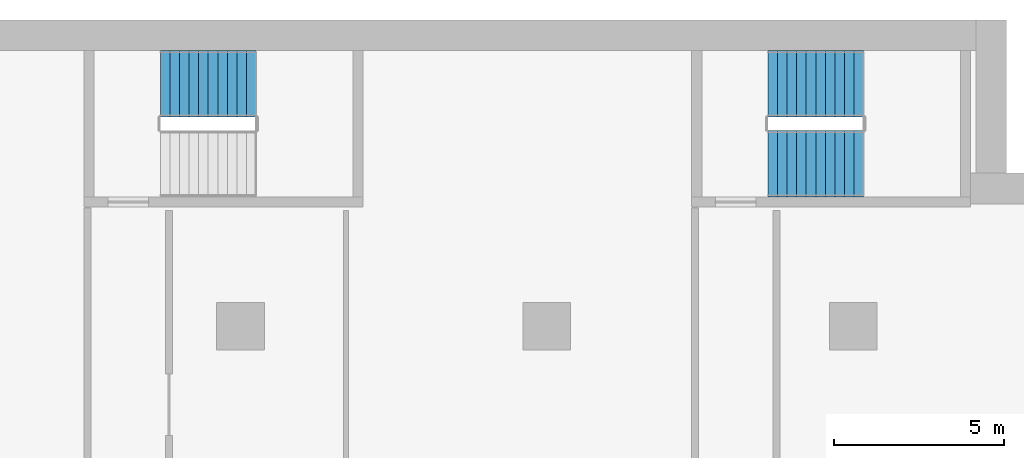
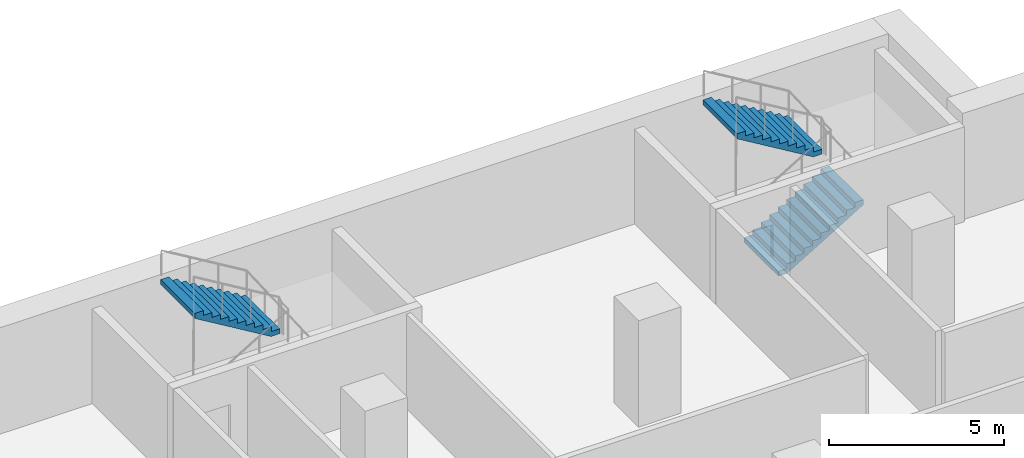
# One storey, part 22 of 28: 3 stair flights, 2 elements without a shape of their own.
"""IFC4 building model written with IfcOpenShell, lengths in metres."""

from ifc_helpers import new_model, si_unit, direction, frame, origin, place, context, subcontext, project, spatial, polyline, outline, extrude, material, type_object, element, aggregate, save


model = new_model("IFC4")

# Units and contexts
model_context = context("Model", 3, precision=1e-05, world=origin(), true_north=direction((0.0, 1.0)))
body_context = subcontext(model_context, "Body", "Model", "MODEL_VIEW")
ifc_project = project(units=[si_unit("LENGTHUNIT", "METRE"), si_unit("AREAUNIT", "SQUARE_METRE"), si_unit("VOLUMEUNIT", "CUBIC_METRE"), si_unit("PLANEANGLEUNIT", "RADIAN"), si_unit("MASSUNIT", "GRAM", prefix="KILO")], contexts=[model_context])

# Site, building, storey
site_placement = place(None, origin())
site = spatial("IfcSite", under=ifc_project, at=site_placement, CompositionType="ELEMENT")
building_placement = place(site_placement, origin())
building = spatial("IfcBuilding", under=site, at=building_placement, Name="Hunhe Ridgeline Campus", CompositionType="ELEMENT")
storey_placement = place(building_placement, frame((0.0, 0.0, 61.699951171875)))
storey = spatial("IfcBuildingStorey", under=building, at=storey_placement, Name="L14", CompositionType="ELEMENT", Elevation=61.699951171875)

# Stair, stair flight
ifc_material = material(Name="Concrete C40", Category="concrete")
stair_type = type_object("IfcStairType", Name="Reinforced concrete dog-leg stair 1950 Concrete C40", PredefinedType="HALF_TURN_STAIR", material=ifc_material)
stair_1_placement = place(storey_placement, origin())
stair_1 = element("IfcStair", 1, at=stair_1_placement, inside=storey, type_object=stair_type, Name="L14 E3", PredefinedType="HALF_TURN_STAIR")
stair_flight_type = type_object("IfcStairFlightType", Name="Reinforced concrete stair flight 1950 Concrete C40", PredefinedType="STRAIGHT", material=ifc_material)
stair_flight_1_placement = place(storey_placement, frame((72.449951171875, 97.125, 1.85009765625), z_axis=(0.0, 0.0, 1.0), x_axis=(-1.0, 0.0, 0.0)))
stair_flight_1 = element("IfcStairFlight", 2, at=stair_flight_1_placement, type_object=stair_flight_type, Name="ST7 flight 2", NumberOfRisers=11, NumberOfTreads=10, PredefinedType="STRAIGHT", RiserHeight=0.168181818, TreadLength=0.28, context=body_context, shape_type="SweptSolid", body=[
    extrude(outline(polyline([(0.0, 0.0), (0.0, 0.168212890625), (0.280029296875, 0.168212890625), (0.280029296875, 0.33642578125), (0.56005859375, 0.33642578125), (0.56005859375, 0.504638671875), (0.840087890625, 0.504638671875), (0.840087890625, 0.672607421875), (1.1201171875, 0.672607421875), (1.1201171875, 0.8408203125), (1.39990234375, 0.8408203125), (1.39990234375, 1.009033203125), (1.679931640625, 1.009033203125), (1.679931640625, 1.17724609375), (1.9599609375, 1.17724609375), (1.9599609375, 1.345458984375), (2.239990234375, 1.345458984375), (2.239990234375, 1.513671875), (2.52001953125, 1.513671875), (2.52001953125, 1.681884765625), (2.800048828125, 1.681884765625), (2.800048828125, 1.85009765625), (2.800048828125, 1.5068359375), (0.291015625, 0.0), (0.0, 0.0)])), frame((0.0, 0.97509765625, 0.0), z_axis=(0.0, -1.0, 0.0), x_axis=(1.0, 0.0, 0.0)), (0.0, 0.0, 1.0), 1.949951171875),
    extrude(outline(polyline([(0.030029296875, 0.030029296875), (0.030029296875, 0.13818359375), (0.31005859375, 0.13818359375), (0.31005859375, 0.306396484375), (0.590087890625, 0.306396484375), (0.590087890625, 0.474609375), (0.8701171875, 0.474609375), (0.8701171875, 0.642578125), (1.14990234375, 0.642578125), (1.14990234375, 0.810791015625), (1.429931640625, 0.810791015625), (1.429931640625, 0.97900390625), (1.7099609375, 0.97900390625), (1.7099609375, 1.147216796875), (1.989990234375, 1.147216796875), (1.989990234375, 1.3154296875), (2.27001953125, 1.3154296875), (2.27001953125, 1.483642578125), (2.550048828125, 1.483642578125), (2.550048828125, 1.65185546875), (2.77001953125, 1.65185546875), (2.77001953125, 1.52392578125), (0.28271484375, 0.030029296875), (0.030029296875, 0.030029296875)])), frame((0.0, -0.070068359375, 0.0), z_axis=(0.0, -1.0, 0.0), x_axis=(1.0, 0.0, 0.0)), (0.0, 0.0, 1.0), 0.019775390625),
    extrude(outline(polyline([(0.030029296875, 0.030029296875), (0.030029296875, 0.13818359375), (0.31005859375, 0.13818359375), (0.31005859375, 0.306396484375), (0.590087890625, 0.306396484375), (0.590087890625, 0.474609375), (0.8701171875, 0.474609375), (0.8701171875, 0.642578125), (1.14990234375, 0.642578125), (1.14990234375, 0.810791015625), (1.429931640625, 0.810791015625), (1.429931640625, 0.97900390625), (1.7099609375, 0.97900390625), (1.7099609375, 1.147216796875), (1.989990234375, 1.147216796875), (1.989990234375, 1.3154296875), (2.27001953125, 1.3154296875), (2.27001953125, 1.483642578125), (2.550048828125, 1.483642578125), (2.550048828125, 1.65185546875), (2.77001953125, 1.65185546875), (2.77001953125, 1.52392578125), (0.28271484375, 0.030029296875), (0.030029296875, 0.030029296875)])), frame((0.0, 0.010009765625, 0.0), z_axis=(0.0, -1.0, 0.0), x_axis=(1.0, 0.0, 0.0)), (0.0, 0.0, 1.0), 0.019775390625),
    extrude(outline(polyline([(0.030029296875, 0.030029296875), (0.030029296875, 0.13818359375), (0.31005859375, 0.13818359375), (0.31005859375, 0.306396484375), (0.590087890625, 0.306396484375), (0.590087890625, 0.474609375), (0.8701171875, 0.474609375), (0.8701171875, 0.642578125), (1.14990234375, 0.642578125), (1.14990234375, 0.810791015625), (1.429931640625, 0.810791015625), (1.429931640625, 0.97900390625), (1.7099609375, 0.97900390625), (1.7099609375, 1.147216796875), (1.989990234375, 1.147216796875), (1.989990234375, 1.3154296875), (2.27001953125, 1.3154296875), (2.27001953125, 1.483642578125), (2.550048828125, 1.483642578125), (2.550048828125, 1.65185546875), (2.77001953125, 1.65185546875), (2.77001953125, 1.52392578125), (0.28271484375, 0.030029296875), (0.030029296875, 0.030029296875)])), frame((0.0, 0.090087890625, 0.0), z_axis=(0.0, -1.0, 0.0), x_axis=(1.0, 0.0, 0.0)), (0.0, 0.0, 1.0), 0.019775390625),
])
aggregate(stair_1, [stair_flight_1])

# Stair, stair flights
stair_2_placement = place(storey_placement, origin())
stair_2 = element("IfcStair", 3, at=stair_2_placement, inside=storey, type_object=stair_type, Name="L14 E4", PredefinedType="HALF_TURN_STAIR")
stair_flight_2_placement = place(storey_placement, frame((87.5, 94.77490234375, 0.0), z_axis=(0.0, 0.0, 1.0), x_axis=(1.0, 0.0, 0.0)))
stair_flight_2 = element("IfcStairFlight", 4, at=stair_flight_2_placement, type_object=stair_flight_type, Name="ST8 flight 1", NumberOfRisers=11, NumberOfTreads=10, PredefinedType="STRAIGHT", RiserHeight=0.168181818, TreadLength=0.28, context=body_context, shape_type="SweptSolid", body=[
    extrude(outline(polyline([(0.0, 0.0), (0.0, 0.168212890625), (0.280029296875, 0.168212890625), (0.280029296875, 0.33642578125), (0.56005859375, 0.33642578125), (0.56005859375, 0.504638671875), (0.840087890625, 0.504638671875), (0.840087890625, 0.672607421875), (1.1201171875, 0.672607421875), (1.1201171875, 0.8408203125), (1.39990234375, 0.8408203125), (1.39990234375, 1.009033203125), (1.679931640625, 1.009033203125), (1.679931640625, 1.17724609375), (1.9599609375, 1.17724609375), (1.9599609375, 1.345458984375), (2.239990234375, 1.345458984375), (2.239990234375, 1.513671875), (2.52001953125, 1.513671875), (2.52001953125, 1.681884765625), (2.800048828125, 1.681884765625), (2.800048828125, 1.85009765625), (2.800048828125, 1.5068359375), (0.291015625, 0.0), (0.0, 0.0)])), frame((0.0, 0.97509765625, 0.0), z_axis=(0.0, -1.0, 0.0), x_axis=(1.0, 0.0, 0.0)), (0.0, 0.0, 1.0), 1.949951171875),
    extrude(outline(polyline([(0.030029296875, 0.030029296875), (0.030029296875, 0.13818359375), (0.31005859375, 0.13818359375), (0.31005859375, 0.306396484375), (0.590087890625, 0.306396484375), (0.590087890625, 0.474609375), (0.8701171875, 0.474609375), (0.8701171875, 0.642578125), (1.14990234375, 0.642578125), (1.14990234375, 0.810791015625), (1.429931640625, 0.810791015625), (1.429931640625, 0.97900390625), (1.7099609375, 0.97900390625), (1.7099609375, 1.147216796875), (1.989990234375, 1.147216796875), (1.989990234375, 1.3154296875), (2.27001953125, 1.3154296875), (2.27001953125, 1.483642578125), (2.550048828125, 1.483642578125), (2.550048828125, 1.65185546875), (2.77001953125, 1.65185546875), (2.77001953125, 1.52392578125), (0.28271484375, 0.030029296875), (0.030029296875, 0.030029296875)])), frame((0.0, -0.070068359375, 0.0), z_axis=(0.0, -1.0, 0.0), x_axis=(1.0, 0.0, 0.0)), (0.0, 0.0, 1.0), 0.019775390625),
    extrude(outline(polyline([(0.030029296875, 0.030029296875), (0.030029296875, 0.13818359375), (0.31005859375, 0.13818359375), (0.31005859375, 0.306396484375), (0.590087890625, 0.306396484375), (0.590087890625, 0.474609375), (0.8701171875, 0.474609375), (0.8701171875, 0.642578125), (1.14990234375, 0.642578125), (1.14990234375, 0.810791015625), (1.429931640625, 0.810791015625), (1.429931640625, 0.97900390625), (1.7099609375, 0.97900390625), (1.7099609375, 1.147216796875), (1.989990234375, 1.147216796875), (1.989990234375, 1.3154296875), (2.27001953125, 1.3154296875), (2.27001953125, 1.483642578125), (2.550048828125, 1.483642578125), (2.550048828125, 1.65185546875), (2.77001953125, 1.65185546875), (2.77001953125, 1.52392578125), (0.28271484375, 0.030029296875), (0.030029296875, 0.030029296875)])), frame((0.0, 0.010009765625, 0.0), z_axis=(0.0, -1.0, 0.0), x_axis=(1.0, 0.0, 0.0)), (0.0, 0.0, 1.0), 0.019775390625),
    extrude(outline(polyline([(0.030029296875, 0.030029296875), (0.030029296875, 0.13818359375), (0.31005859375, 0.13818359375), (0.31005859375, 0.306396484375), (0.590087890625, 0.306396484375), (0.590087890625, 0.474609375), (0.8701171875, 0.474609375), (0.8701171875, 0.642578125), (1.14990234375, 0.642578125), (1.14990234375, 0.810791015625), (1.429931640625, 0.810791015625), (1.429931640625, 0.97900390625), (1.7099609375, 0.97900390625), (1.7099609375, 1.147216796875), (1.989990234375, 1.147216796875), (1.989990234375, 1.3154296875), (2.27001953125, 1.3154296875), (2.27001953125, 1.483642578125), (2.550048828125, 1.483642578125), (2.550048828125, 1.65185546875), (2.77001953125, 1.65185546875), (2.77001953125, 1.52392578125), (0.28271484375, 0.030029296875), (0.030029296875, 0.030029296875)])), frame((0.0, 0.090087890625, 0.0), z_axis=(0.0, -1.0, 0.0), x_axis=(1.0, 0.0, 0.0)), (0.0, 0.0, 1.0), 0.019775390625),
])
stair_flight_3_placement = place(storey_placement, frame((90.300048828125, 97.125, 1.85009765625), z_axis=(0.0, 0.0, 1.0), x_axis=(-1.0, 0.0, 0.0)))
stair_flight_3 = element("IfcStairFlight", 5, at=stair_flight_3_placement, type_object=stair_flight_type, Name="ST8 flight 2", NumberOfRisers=11, NumberOfTreads=10, PredefinedType="STRAIGHT", RiserHeight=0.168181818, TreadLength=0.28, context=body_context, shape_type="SweptSolid", body=[
    extrude(outline(polyline([(0.0, 0.0), (0.0, 0.168212890625), (0.280029296875, 0.168212890625), (0.280029296875, 0.33642578125), (0.56005859375, 0.33642578125), (0.56005859375, 0.504638671875), (0.840087890625, 0.504638671875), (0.840087890625, 0.672607421875), (1.1201171875, 0.672607421875), (1.1201171875, 0.8408203125), (1.39990234375, 0.8408203125), (1.39990234375, 1.009033203125), (1.679931640625, 1.009033203125), (1.679931640625, 1.17724609375), (1.9599609375, 1.17724609375), (1.9599609375, 1.345458984375), (2.239990234375, 1.345458984375), (2.239990234375, 1.513671875), (2.52001953125, 1.513671875), (2.52001953125, 1.681884765625), (2.800048828125, 1.681884765625), (2.800048828125, 1.85009765625), (2.800048828125, 1.5068359375), (0.291015625, 0.0), (0.0, 0.0)])), frame((0.0, 0.97509765625, 0.0), z_axis=(0.0, -1.0, 0.0), x_axis=(1.0, 0.0, 0.0)), (0.0, 0.0, 1.0), 1.949951171875),
    extrude(outline(polyline([(0.030029296875, 0.030029296875), (0.030029296875, 0.13818359375), (0.31005859375, 0.13818359375), (0.31005859375, 0.306396484375), (0.590087890625, 0.306396484375), (0.590087890625, 0.474609375), (0.8701171875, 0.474609375), (0.8701171875, 0.642578125), (1.14990234375, 0.642578125), (1.14990234375, 0.810791015625), (1.429931640625, 0.810791015625), (1.429931640625, 0.97900390625), (1.7099609375, 0.97900390625), (1.7099609375, 1.147216796875), (1.989990234375, 1.147216796875), (1.989990234375, 1.3154296875), (2.27001953125, 1.3154296875), (2.27001953125, 1.483642578125), (2.550048828125, 1.483642578125), (2.550048828125, 1.65185546875), (2.77001953125, 1.65185546875), (2.77001953125, 1.52392578125), (0.28271484375, 0.030029296875), (0.030029296875, 0.030029296875)])), frame((0.0, -0.070068359375, 0.0), z_axis=(0.0, -1.0, 0.0), x_axis=(1.0, 0.0, 0.0)), (0.0, 0.0, 1.0), 0.019775390625),
    extrude(outline(polyline([(0.030029296875, 0.030029296875), (0.030029296875, 0.13818359375), (0.31005859375, 0.13818359375), (0.31005859375, 0.306396484375), (0.590087890625, 0.306396484375), (0.590087890625, 0.474609375), (0.8701171875, 0.474609375), (0.8701171875, 0.642578125), (1.14990234375, 0.642578125), (1.14990234375, 0.810791015625), (1.429931640625, 0.810791015625), (1.429931640625, 0.97900390625), (1.7099609375, 0.97900390625), (1.7099609375, 1.147216796875), (1.989990234375, 1.147216796875), (1.989990234375, 1.3154296875), (2.27001953125, 1.3154296875), (2.27001953125, 1.483642578125), (2.550048828125, 1.483642578125), (2.550048828125, 1.65185546875), (2.77001953125, 1.65185546875), (2.77001953125, 1.52392578125), (0.28271484375, 0.030029296875), (0.030029296875, 0.030029296875)])), frame((0.0, 0.010009765625, 0.0), z_axis=(0.0, -1.0, 0.0), x_axis=(1.0, 0.0, 0.0)), (0.0, 0.0, 1.0), 0.019775390625),
    extrude(outline(polyline([(0.030029296875, 0.030029296875), (0.030029296875, 0.13818359375), (0.31005859375, 0.13818359375), (0.31005859375, 0.306396484375), (0.590087890625, 0.306396484375), (0.590087890625, 0.474609375), (0.8701171875, 0.474609375), (0.8701171875, 0.642578125), (1.14990234375, 0.642578125), (1.14990234375, 0.810791015625), (1.429931640625, 0.810791015625), (1.429931640625, 0.97900390625), (1.7099609375, 0.97900390625), (1.7099609375, 1.147216796875), (1.989990234375, 1.147216796875), (1.989990234375, 1.3154296875), (2.27001953125, 1.3154296875), (2.27001953125, 1.483642578125), (2.550048828125, 1.483642578125), (2.550048828125, 1.65185546875), (2.77001953125, 1.65185546875), (2.77001953125, 1.52392578125), (0.28271484375, 0.030029296875), (0.030029296875, 0.030029296875)])), frame((0.0, 0.090087890625, 0.0), z_axis=(0.0, -1.0, 0.0), x_axis=(1.0, 0.0, 0.0)), (0.0, 0.0, 1.0), 0.019775390625),
])
aggregate(stair_2, [stair_flight_2, stair_flight_3])

save(model, "model.ifc")
